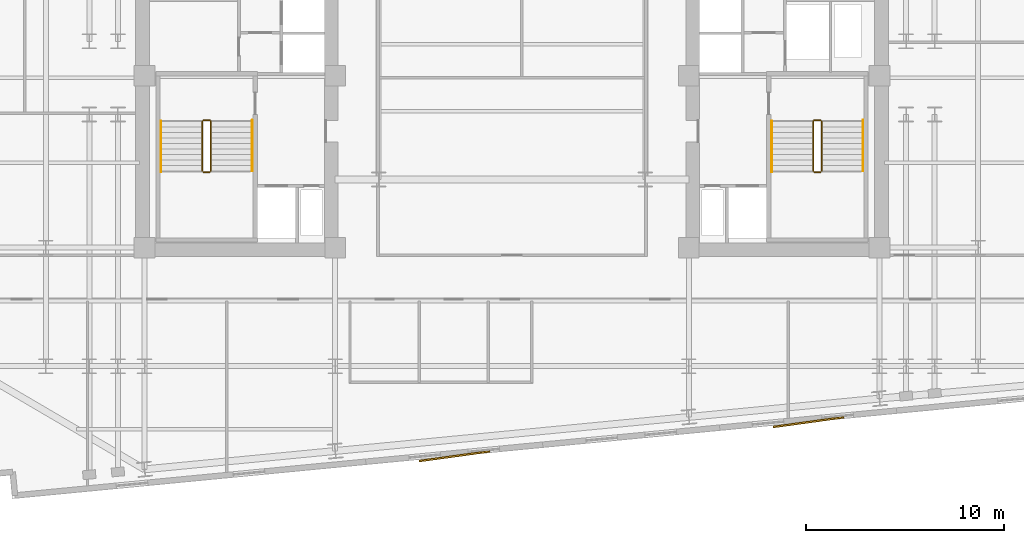
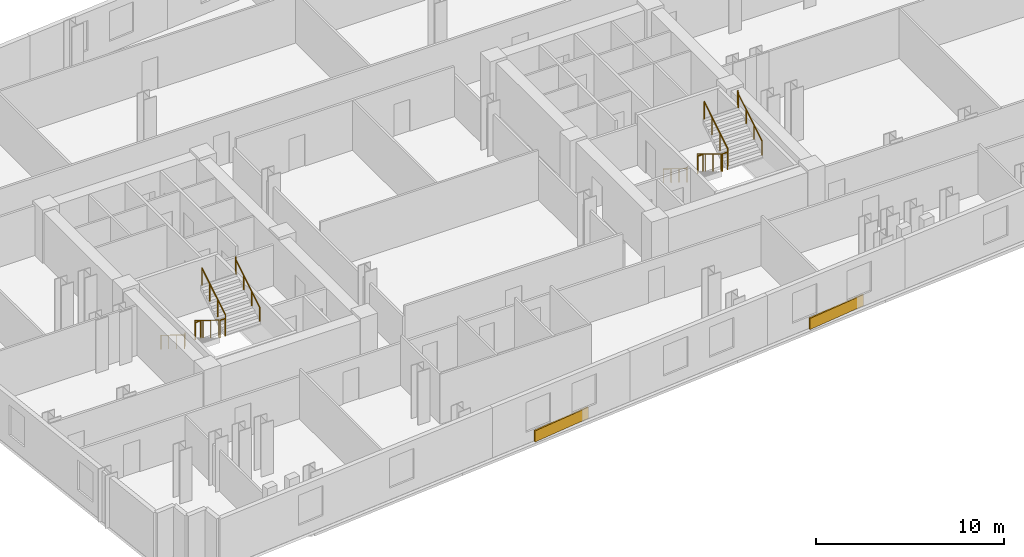
# One storey, part 9 of 10: 12 railings, 2 coverings.
"""IFC4 building model written with IfcOpenShell, lengths in metres."""

from ifc_helpers import new_model, si_unit, direction, frame, origin, origin_2d, place, context, subcontext, project, spatial, rectangle, circle, extrude, material, layer, layer_set, type_object, element, save


model = new_model("IFC4")

# Units and contexts
model_context = context("Model", 3, precision=1e-05, world=origin(), true_north=direction((0.0, 1.0)))
body_context = subcontext(model_context, "Body", "Model", "MODEL_VIEW")
ifc_project = project(units=[si_unit("LENGTHUNIT", "METRE"), si_unit("AREAUNIT", "SQUARE_METRE"), si_unit("VOLUMEUNIT", "CUBIC_METRE"), si_unit("PLANEANGLEUNIT", "RADIAN"), si_unit("MASSUNIT", "GRAM", prefix="KILO")], contexts=[model_context])

# Site, building, storey
site_placement = place(None, origin())
site = spatial("IfcSite", under=ifc_project, at=site_placement, CompositionType="ELEMENT")
building_placement = place(site_placement, origin())
building = spatial("IfcBuilding", under=site, at=building_placement, Name="Velakula Bourse", CompositionType="ELEMENT")
storey_placement = place(building_placement, frame((0.0, 0.0, 94.89990234375)))
storey = spatial("IfcBuildingStorey", under=building, at=storey_placement, Name="L25", CompositionType="ELEMENT", Elevation=94.89990234375)

# Coverings
ifc_material_1 = material(Name="Buff kilned clay facing brick masonry", Category="masonry")
ifc_layer = layer(ifc_material_1, 0.074951171875, Name="Buff kilned clay facing brick masonry", Category="masonry")
ifc_layer_set = layer_set([ifc_layer], Name="Buff kilned clay facing brick masonry")
covering_type = type_object("IfcCoveringType", Name="COV-BRK-SPN-75", PredefinedType="CLADDING", material=ifc_layer_set)
for number, where, z_axis, x_axis, name in (
    (1, (-2.908447265625, -19.154052734375, 0.0), (0.0, 0.0, 1.0), (0.990629029058, 0.136580111242, 0.0), "L25 Folded Brick Facade Cladding Panel S-B2"),
    (2, (15.0087890625, -17.428955078125, 0.0), (0.0, 0.0, 1.0), (0.990629029058, 0.136580111242, 0.0), "L25 Folded Brick Facade Cladding Panel S-B4"),
):
    element("IfcCovering", number, at=place(storey_placement, frame(where, z_axis=z_axis, x_axis=x_axis)), inside=storey, type_object=covering_type, Name=name, PredefinedType="CLADDING", context=body_context, shape_type="SweptSolid", body=[
        extrude(rectangle(XDim=3.60009765625, YDim=0.090087890625, at=origin_2d()), origin(), (0.0, 0.0, 1.0), 0.719970703125),
    ])

# Railings
ifc_material_2 = material(Name="Brushed grade 316 stainless steel", Category="steel")
railing_type_1 = type_object("IfcRailingType", Name="RLG-STAIR-GUARD-1150", PredefinedType="BALUSTRADE", material=ifc_material_2)
railing_1_placement = place(storey_placement, frame((-15.672119140625, -2.199951171875, 0.172607421875)))
element("IfcRailing", 3, at=railing_1_placement, inside=storey, type_object=railing_type_1, Name="L25 ST-W1 stair guard 1", PredefinedType="BALUSTRADE", context=body_context, shape_type="SweptSolid", body=[
    extrude(circle(Radius=0.02490234375, at=origin_2d()), frame((0.0, 0.0, 1.125), z_axis=(0.0, -0.851400495292, 0.524516154772), x_axis=(1.0, 0.0, 0.0)), (0.0, 0.0, 1.0), 2.9599609375),
    extrude(circle(Radius=0.02099609375, at=origin_2d()), origin(), (0.0, 0.0, 1.0), 1.099853515625),
    extrude(circle(Radius=0.02099609375, at=origin_2d()), frame((0.0, -0.840087890625, 0.517578125)), (0.0, 0.0, 1.0), 1.099853515625),
    extrude(circle(Radius=0.02099609375, at=origin_2d()), frame((0.0, -1.679931640625, 1.034912109375)), (0.0, 0.0, 1.0), 1.099853515625),
    extrude(circle(Radius=0.02099609375, at=origin_2d()), frame((0.0, -2.52001953125, 1.552490234375)), (0.0, 0.0, 1.0), 1.099853515625),
])
railing_2_placement = place(storey_placement, frame((-15.6220703125, -4.77001953125, 1.72509765625)))
element("IfcRailing", 4, at=railing_2_placement, inside=storey, type_object=railing_type_1, Name="L25 ST-W1 stair guard 2", PredefinedType="BALUSTRADE", context=body_context, shape_type="SweptSolid", body=[
    extrude(circle(Radius=0.02490234375, at=origin_2d()), frame((0.0, 0.0, 1.125), z_axis=(1.0, 0.0, 0.0), x_axis=(0.0, 1.0, 0.0)), (0.0, 0.0, 1.0), 0.323974609375),
    extrude(circle(Radius=0.02099609375, at=origin_2d()), origin(), (0.0, 0.0, 1.0), 1.099853515625),
    extrude(circle(Radius=0.02099609375, at=origin_2d()), frame((0.323974609375, 0.0, 0.0)), (0.0, 0.0, 1.0), 1.099853515625),
])
railing_3_placement = place(storey_placement, frame((-15.248046875, -4.719970703125, 1.897705078125)))
element("IfcRailing", 5, at=railing_3_placement, inside=storey, type_object=railing_type_1, Name="L25 ST-W1 stair guard 3", PredefinedType="BALUSTRADE", context=body_context, shape_type="SweptSolid", body=[
    extrude(circle(Radius=0.02490234375, at=origin_2d()), frame((0.0, 0.0, 1.125), z_axis=(0.0, 0.851400495292, 0.524516154772), x_axis=(-1.0, 0.0, 0.0)), (0.0, 0.0, 1.0), 2.9599609375),
    extrude(circle(Radius=0.02099609375, at=origin_2d()), origin(), (0.0, 0.0, 1.0), 1.099853515625),
    extrude(circle(Radius=0.02099609375, at=origin_2d()), frame((0.0, 0.840087890625, 0.517578125)), (0.0, 0.0, 1.0), 1.099853515625),
    extrude(circle(Radius=0.02099609375, at=origin_2d()), frame((0.0, 1.679931640625, 1.034912109375)), (0.0, 0.0, 1.0), 1.099853515625),
    extrude(circle(Radius=0.02099609375, at=origin_2d()), frame((0.0, 2.52001953125, 1.552490234375)), (0.0, 0.0, 1.0), 1.099853515625),
])
railing_4_placement = place(storey_placement, frame((-15.6220703125, -2.14990234375, 0.0)))
element("IfcRailing", 6, at=railing_4_placement, inside=storey, type_object=railing_type_1, Name="L25 ST-W1 stair guard 4", PredefinedType="BALUSTRADE", context=body_context, shape_type="SweptSolid", body=[
    extrude(circle(Radius=0.02490234375, at=origin_2d()), frame((0.0, 0.0, 1.125), z_axis=(1.0, 0.0, 0.0), x_axis=(0.0, 1.0, 0.0)), (0.0, 0.0, 1.0), 0.323974609375),
    extrude(circle(Radius=0.02099609375, at=origin_2d()), origin(), (0.0, 0.0, 1.0), 1.099853515625),
    extrude(circle(Radius=0.02099609375, at=origin_2d()), frame((0.323974609375, 0.0, 0.0)), (0.0, 0.0, 1.0), 1.099853515625),
])
railing_5_placement = place(storey_placement, frame((15.248046875, -2.199951171875, 0.172607421875)))
element("IfcRailing", 7, at=railing_5_placement, inside=storey, type_object=railing_type_1, Name="L25 ST-E1 stair guard 1", PredefinedType="BALUSTRADE", context=body_context, shape_type="SweptSolid", body=[
    extrude(circle(Radius=0.02490234375, at=origin_2d()), frame((0.0, 0.0, 1.125), z_axis=(0.0, -0.851400495292, 0.524516154772), x_axis=(1.0, 0.0, 0.0)), (0.0, 0.0, 1.0), 2.9599609375),
    extrude(circle(Radius=0.02099609375, at=origin_2d()), origin(), (0.0, 0.0, 1.0), 1.099853515625),
    extrude(circle(Radius=0.02099609375, at=origin_2d()), frame((0.0, -0.840087890625, 0.517578125)), (0.0, 0.0, 1.0), 1.099853515625),
    extrude(circle(Radius=0.02099609375, at=origin_2d()), frame((0.0, -1.679931640625, 1.034912109375)), (0.0, 0.0, 1.0), 1.099853515625),
    extrude(circle(Radius=0.02099609375, at=origin_2d()), frame((0.0, -2.52001953125, 1.552490234375)), (0.0, 0.0, 1.0), 1.099853515625),
])
railing_6_placement = place(storey_placement, frame((15.298095703125, -4.77001953125, 1.72509765625)))
element("IfcRailing", 8, at=railing_6_placement, inside=storey, type_object=railing_type_1, Name="L25 ST-E1 stair guard 2", PredefinedType="BALUSTRADE", context=body_context, shape_type="SweptSolid", body=[
    extrude(circle(Radius=0.02490234375, at=origin_2d()), frame((0.0, 0.0, 1.125), z_axis=(1.0, 0.0, 0.0), x_axis=(0.0, 1.0, 0.0)), (0.0, 0.0, 1.0), 0.323974609375),
    extrude(circle(Radius=0.02099609375, at=origin_2d()), origin(), (0.0, 0.0, 1.0), 1.099853515625),
    extrude(circle(Radius=0.02099609375, at=origin_2d()), frame((0.323974609375, 0.0, 0.0)), (0.0, 0.0, 1.0), 1.099853515625),
])
railing_7_placement = place(storey_placement, frame((15.672119140625, -4.719970703125, 1.897705078125)))
element("IfcRailing", 9, at=railing_7_placement, inside=storey, type_object=railing_type_1, Name="L25 ST-E1 stair guard 3", PredefinedType="BALUSTRADE", context=body_context, shape_type="SweptSolid", body=[
    extrude(circle(Radius=0.02490234375, at=origin_2d()), frame((0.0, 0.0, 1.125), z_axis=(0.0, 0.851400495292, 0.524516154772), x_axis=(-1.0, 0.0, 0.0)), (0.0, 0.0, 1.0), 2.9599609375),
    extrude(circle(Radius=0.02099609375, at=origin_2d()), origin(), (0.0, 0.0, 1.0), 1.099853515625),
    extrude(circle(Radius=0.02099609375, at=origin_2d()), frame((0.0, 0.840087890625, 0.517578125)), (0.0, 0.0, 1.0), 1.099853515625),
    extrude(circle(Radius=0.02099609375, at=origin_2d()), frame((0.0, 1.679931640625, 1.034912109375)), (0.0, 0.0, 1.0), 1.099853515625),
    extrude(circle(Radius=0.02099609375, at=origin_2d()), frame((0.0, 2.52001953125, 1.552490234375)), (0.0, 0.0, 1.0), 1.099853515625),
])
railing_8_placement = place(storey_placement, frame((15.298095703125, -2.14990234375, 0.0)))
element("IfcRailing", 10, at=railing_8_placement, inside=storey, type_object=railing_type_1, Name="L25 ST-E1 stair guard 4", PredefinedType="BALUSTRADE", context=body_context, shape_type="SweptSolid", body=[
    extrude(circle(Radius=0.02490234375, at=origin_2d()), frame((0.0, 0.0, 1.125), z_axis=(1.0, 0.0, 0.0), x_axis=(0.0, 1.0, 0.0)), (0.0, 0.0, 1.0), 0.323974609375),
    extrude(circle(Radius=0.02099609375, at=origin_2d()), origin(), (0.0, 0.0, 1.0), 1.099853515625),
    extrude(circle(Radius=0.02099609375, at=origin_2d()), frame((0.323974609375, 0.0, 0.0)), (0.0, 0.0, 1.0), 1.099853515625),
])
railing_type_2 = type_object("IfcRailingType", Name="RLG-STAIR-HAND-920", PredefinedType="HANDRAIL", material=ifc_material_2)
railing_9_placement = place(storey_placement, frame((-17.77001953125, -2.199951171875, 0.172607421875)))
element("IfcRailing", 11, at=railing_9_placement, inside=storey, type_object=railing_type_2, Name="L25 ST-W1 stair handrail 1", PredefinedType="HANDRAIL", context=body_context, shape_type="SweptSolid", body=[
    extrude(circle(Radius=0.02099609375, at=origin_2d()), frame((0.0, 0.0, 0.89892578125), z_axis=(0.0, -0.851400495292, 0.524516154772), x_axis=(1.0, 0.0, 0.0)), (0.0, 0.0, 1.0), 2.9599609375),
    extrude(circle(Radius=0.02099609375, at=origin_2d()), frame((0.0, -2.52001953125, 2.451416015625), z_axis=(0.0, -0.22596628056, 0.974135124123), x_axis=(1.0, 0.0, 0.0)), (0.0, 0.0, 1.0), 0.17724609375),
    extrude(circle(Radius=0.02099609375, at=origin_2d()), frame((0.0, -2.56005859375, 2.6240234375), z_axis=(0.0, -1.0, 0.0), x_axis=(1.0, 0.0, 0.0)), (0.0, 0.0, 1.0), 0.0048828125),
    extrude(circle(Radius=0.02099609375, at=origin_2d()), origin(), (0.0, 0.0, 1.0), 0.8779296875),
    extrude(circle(Radius=0.02099609375, at=origin_2d()), frame((0.0, -0.840087890625, 0.517578125)), (0.0, 0.0, 1.0), 0.8779296875),
    extrude(circle(Radius=0.02099609375, at=origin_2d()), frame((0.0, -1.679931640625, 1.034912109375)), (0.0, 0.0, 1.0), 0.8779296875),
    extrude(circle(Radius=0.02099609375, at=origin_2d()), frame((0.0, -2.52001953125, 1.552490234375)), (0.0, 0.0, 1.0), 0.8779296875),
    extrude(circle(Radius=0.02099609375, at=origin_2d()), frame((0.0, -2.56005859375, 1.72509765625)), (0.0, 0.0, 1.0), 0.8779296875),
    extrude(circle(Radius=0.02099609375, at=origin_2d()), frame((0.0, -2.56494140625, 1.72509765625)), (0.0, 0.0, 1.0), 0.8779296875),
])
railing_10_placement = place(storey_placement, frame((-13.14990234375, -4.719970703125, 1.897705078125)))
element("IfcRailing", 12, at=railing_10_placement, inside=storey, type_object=railing_type_2, Name="L25 ST-W1 stair handrail 2", PredefinedType="HANDRAIL", context=body_context, shape_type="SweptSolid", body=[
    extrude(circle(Radius=0.02099609375, at=origin_2d()), frame((0.0, 0.0, 0.89892578125), z_axis=(0.0, 0.851400495292, 0.524516154772), x_axis=(-1.0, 0.0, 0.0)), (0.0, 0.0, 1.0), 2.9599609375),
    extrude(circle(Radius=0.02099609375, at=origin_2d()), frame((0.0, 2.52001953125, 2.451416015625), z_axis=(0.0, 0.226269970362, 0.974064628509), x_axis=(-1.0, 0.0, 0.0)), (0.0, 0.0, 1.0), 0.177001953125),
    extrude(circle(Radius=0.02099609375, at=origin_2d()), frame((0.0, 2.56005859375, 2.623779296875), z_axis=(0.0, 1.0, 0.0), x_axis=(-1.0, 0.0, 0.0)), (0.0, 0.0, 1.0), 0.0048828125),
    extrude(circle(Radius=0.02099609375, at=origin_2d()), origin(), (0.0, 0.0, 1.0), 0.8779296875),
    extrude(circle(Radius=0.02099609375, at=origin_2d()), frame((0.0, 0.840087890625, 0.517578125)), (0.0, 0.0, 1.0), 0.8779296875),
    extrude(circle(Radius=0.02099609375, at=origin_2d()), frame((0.0, 1.679931640625, 1.034912109375)), (0.0, 0.0, 1.0), 0.8779296875),
    extrude(circle(Radius=0.02099609375, at=origin_2d()), frame((0.0, 2.52001953125, 1.552490234375)), (0.0, 0.0, 1.0), 0.8779296875),
    extrude(circle(Radius=0.02099609375, at=origin_2d()), frame((0.0, 2.56005859375, 1.724853515625)), (0.0, 0.0, 1.0), 0.8779296875),
    extrude(circle(Radius=0.02099609375, at=origin_2d()), frame((0.0, 2.56494140625, 1.724853515625)), (0.0, 0.0, 1.0), 0.8779296875),
])
railing_11_placement = place(storey_placement, frame((13.14990234375, -2.199951171875, 0.172607421875)))
element("IfcRailing", 13, at=railing_11_placement, inside=storey, type_object=railing_type_2, Name="L25 ST-E1 stair handrail 1", PredefinedType="HANDRAIL", context=body_context, shape_type="SweptSolid", body=[
    extrude(circle(Radius=0.02099609375, at=origin_2d()), frame((0.0, 0.0, 0.89892578125), z_axis=(0.0, -0.851400495292, 0.524516154772), x_axis=(1.0, 0.0, 0.0)), (0.0, 0.0, 1.0), 2.9599609375),
    extrude(circle(Radius=0.02099609375, at=origin_2d()), frame((0.0, -2.52001953125, 2.451416015625), z_axis=(0.0, -0.22596628056, 0.974135124123), x_axis=(1.0, 0.0, 0.0)), (0.0, 0.0, 1.0), 0.17724609375),
    extrude(circle(Radius=0.02099609375, at=origin_2d()), frame((0.0, -2.56005859375, 2.6240234375), z_axis=(0.0, -1.0, 0.0), x_axis=(1.0, 0.0, 0.0)), (0.0, 0.0, 1.0), 0.0048828125),
    extrude(circle(Radius=0.02099609375, at=origin_2d()), origin(), (0.0, 0.0, 1.0), 0.8779296875),
    extrude(circle(Radius=0.02099609375, at=origin_2d()), frame((0.0, -0.840087890625, 0.517578125)), (0.0, 0.0, 1.0), 0.8779296875),
    extrude(circle(Radius=0.02099609375, at=origin_2d()), frame((0.0, -1.679931640625, 1.034912109375)), (0.0, 0.0, 1.0), 0.8779296875),
    extrude(circle(Radius=0.02099609375, at=origin_2d()), frame((0.0, -2.52001953125, 1.552490234375)), (0.0, 0.0, 1.0), 0.8779296875),
    extrude(circle(Radius=0.02099609375, at=origin_2d()), frame((0.0, -2.56005859375, 1.72509765625)), (0.0, 0.0, 1.0), 0.8779296875),
    extrude(circle(Radius=0.02099609375, at=origin_2d()), frame((0.0, -2.56494140625, 1.72509765625)), (0.0, 0.0, 1.0), 0.8779296875),
])
railing_12_placement = place(storey_placement, frame((17.77001953125, -4.719970703125, 1.897705078125)))
element("IfcRailing", 14, at=railing_12_placement, inside=storey, type_object=railing_type_2, Name="L25 ST-E1 stair handrail 2", PredefinedType="HANDRAIL", context=body_context, shape_type="SweptSolid", body=[
    extrude(circle(Radius=0.02099609375, at=origin_2d()), frame((0.0, 0.0, 0.89892578125), z_axis=(0.0, 0.851400495292, 0.524516154772), x_axis=(-1.0, 0.0, 0.0)), (0.0, 0.0, 1.0), 2.9599609375),
    extrude(circle(Radius=0.02099609375, at=origin_2d()), frame((0.0, 2.52001953125, 2.451416015625), z_axis=(0.0, 0.226269970362, 0.974064628509), x_axis=(-1.0, 0.0, 0.0)), (0.0, 0.0, 1.0), 0.177001953125),
    extrude(circle(Radius=0.02099609375, at=origin_2d()), frame((0.0, 2.56005859375, 2.623779296875), z_axis=(0.0, 1.0, 0.0), x_axis=(-1.0, 0.0, 0.0)), (0.0, 0.0, 1.0), 0.0048828125),
    extrude(circle(Radius=0.02099609375, at=origin_2d()), origin(), (0.0, 0.0, 1.0), 0.8779296875),
    extrude(circle(Radius=0.02099609375, at=origin_2d()), frame((0.0, 0.840087890625, 0.517578125)), (0.0, 0.0, 1.0), 0.8779296875),
    extrude(circle(Radius=0.02099609375, at=origin_2d()), frame((0.0, 1.679931640625, 1.034912109375)), (0.0, 0.0, 1.0), 0.8779296875),
    extrude(circle(Radius=0.02099609375, at=origin_2d()), frame((0.0, 2.52001953125, 1.552490234375)), (0.0, 0.0, 1.0), 0.8779296875),
    extrude(circle(Radius=0.02099609375, at=origin_2d()), frame((0.0, 2.56005859375, 1.724853515625)), (0.0, 0.0, 1.0), 0.8779296875),
    extrude(circle(Radius=0.02099609375, at=origin_2d()), frame((0.0, 2.56494140625, 1.724853515625)), (0.0, 0.0, 1.0), 0.8779296875),
])

save(model, "model.ifc")
